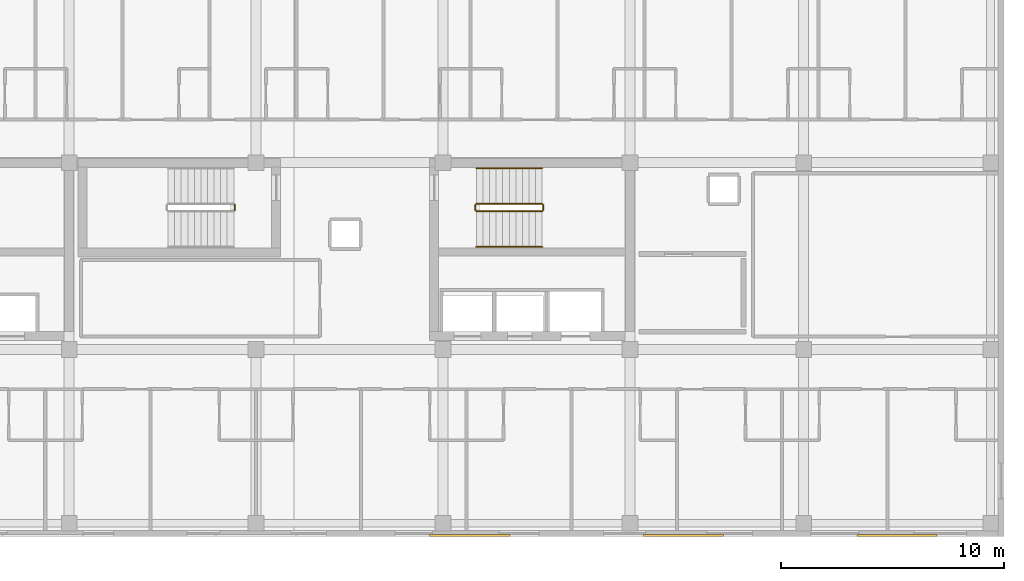
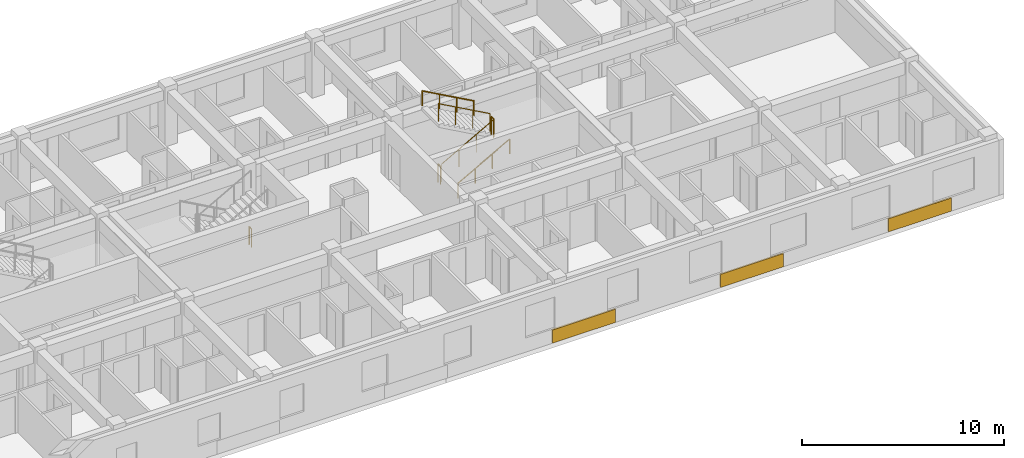
# One storey, part 11 of 11: 7 railings, 3 coverings.
"""IFC4 building model written with IfcOpenShell, lengths in metres."""

from ifc_helpers import new_model, si_unit, direction, frame, origin, origin_2d, place, context, subcontext, project, spatial, rectangle, circle, extrude, material, layer, layer_set, type_object, element, save


model = new_model("IFC4")

# Units and contexts
model_context = context("Model", 3, precision=1e-05, world=origin(), true_north=direction((0.0, 1.0)))
body_context = subcontext(model_context, "Body", "Model", "MODEL_VIEW")
ifc_project = project(units=[si_unit("LENGTHUNIT", "METRE"), si_unit("AREAUNIT", "SQUARE_METRE"), si_unit("VOLUMEUNIT", "CUBIC_METRE"), si_unit("PLANEANGLEUNIT", "RADIAN"), si_unit("MASSUNIT", "GRAM", prefix="KILO")], contexts=[model_context])

# Site, building, storey
site_placement = place(None, origin())
site = spatial("IfcSite", under=ifc_project, at=site_placement, CompositionType="ELEMENT")
building_placement = place(site_placement, origin())
building = spatial("IfcBuilding", under=site, at=building_placement, Name="Zayran Congress Hotel", CompositionType="ELEMENT")
storey_placement = place(building_placement, frame((0.0, 0.0, 26.39990234375)))
storey = spatial("IfcBuildingStorey", under=building, at=storey_placement, Name="L06", CompositionType="ELEMENT", Elevation=26.39990234375)

# Coverings
ifc_material_1 = material(Name="Ochre geometric bas-relief Hajar Ma'ani stone", Category="masonry")
ifc_layer = layer(ifc_material_1, 0.090087890625)
ifc_layer_set = layer_set([ifc_layer], Name="Ochre geometric bas-relief Hajar Ma'ani stone")
covering_type = type_object("IfcCoveringType", Name="TP-CLD-01", PredefinedType="CLADDING", material=ifc_layer_set)
for number, where, z_axis, x_axis, name in (
    (1, (51.60009765625, 8.844970703125, 0.0), (0.0, 0.0, 1.0), (1.0, 0.0, 0.0), "CLD-V5S-L06-4"),
    (2, (61.199951171875, 8.844970703125, 0.0), (0.0, 0.0, 1.0), (1.0, 0.0, 0.0), "CLD-V5S-L06-5"),
    (3, (70.800048828125, 8.844970703125, 0.0), (0.0, 0.0, 1.0), (1.0, 0.0, 0.0), "CLD-V5S-L06-6"),
):
    element("IfcCovering", number, at=place(storey_placement, frame(where, z_axis=z_axis, x_axis=x_axis)), inside=storey, type_object=covering_type, Name=name, PredefinedType="CLADDING", context=body_context, shape_type="SweptSolid", body=[
        extrude(rectangle(XDim=3.60009765625, YDim=0.090087890625, at=origin_2d()), origin(), (0.0, 0.0, 1.0), 0.800048828125),
    ])

# Railings
ifc_material_2 = material(Name="Painted steel balustrade", Category="steel")
railing_type_1 = type_object("IfcRailingType", Name="TP-GRD-INT", PredefinedType="GUARDRAIL", material=ifc_material_2)
railing_1_placement = place(storey_placement, frame((51.89990234375, 23.409912109375, 0.163818359375)))
element("IfcRailing", 4, at=railing_1_placement, inside=storey, type_object=railing_type_1, Name="L06 ST-02 stair guard 1", PredefinedType="GUARDRAIL", context=body_context, shape_type="SweptSolid", body=[
    extrude(circle(Radius=0.02392578125, at=origin_2d()), frame((0.0, 0.0, 1.076171875), z_axis=(0.874505241218, 0.0, 0.485016064767), x_axis=(0.0, 1.0, 0.0)), (0.0, 0.0, 1.0), 3.37353515625),
    extrude(circle(Radius=0.02099609375, at=origin_2d()), origin(), (0.0, 0.0, 1.0), 1.052001953125),
    extrude(circle(Radius=0.02099609375, at=origin_2d()), frame((0.9833984375, 0.0, 0.54541015625)), (0.0, 0.0, 1.0), 1.052001953125),
    extrude(circle(Radius=0.02099609375, at=origin_2d()), frame((1.966796875, 0.0, 1.0908203125)), (0.0, 0.0, 1.0), 1.052001953125),
    extrude(circle(Radius=0.02099609375, at=origin_2d()), frame((2.9501953125, 0.0, 1.63623046875)), (0.0, 0.0, 1.0), 1.052001953125),
])
railing_2_placement = place(storey_placement, frame((54.89990234375, 23.4599609375, 1.800048828125)))
element("IfcRailing", 5, at=railing_2_placement, inside=storey, type_object=railing_type_1, Name="L06 ST-02 stair guard 2", PredefinedType="GUARDRAIL", context=body_context, shape_type="SweptSolid", body=[
    extrude(circle(Radius=0.02392578125, at=origin_2d()), frame((0.0, 0.0, 1.076171875), z_axis=(0.0, 1.0, 0.0), x_axis=(-1.0, 0.0, 0.0)), (0.0, 0.0, 1.0), 0.239990234375),
    extrude(circle(Radius=0.02099609375, at=origin_2d()), origin(), (0.0, 0.0, 1.0), 1.052001953125),
    extrude(circle(Radius=0.02099609375, at=origin_2d()), frame((0.0, 0.239990234375, 0.0)), (0.0, 0.0, 1.0), 1.052001953125),
])
railing_3_placement = place(storey_placement, frame((54.85009765625, 23.75, 1.963623046875)))
element("IfcRailing", 6, at=railing_3_placement, inside=storey, type_object=railing_type_1, Name="L06 ST-02 stair guard 3", PredefinedType="GUARDRAIL", context=body_context, shape_type="SweptSolid", body=[
    extrude(circle(Radius=0.02392578125, at=origin_2d()), frame((0.0, 0.0, 1.076171875), z_axis=(-0.87447454536, 0.0, 0.485071406616), x_axis=(0.0, -1.0, 0.0)), (0.0, 0.0, 1.0), 3.373779296875),
    extrude(circle(Radius=0.02099609375, at=origin_2d()), origin(), (0.0, 0.0, 1.0), 1.052001953125),
    extrude(circle(Radius=0.02099609375, at=origin_2d()), frame((-0.9833984375, 0.0, 0.54541015625)), (0.0, 0.0, 1.0), 1.052001953125),
    extrude(circle(Radius=0.02099609375, at=origin_2d()), frame((-1.966796875, 0.0, 1.091064453125)), (0.0, 0.0, 1.0), 1.052001953125),
    extrude(circle(Radius=0.02099609375, at=origin_2d()), frame((-2.9501953125, 0.0, 1.636474609375)), (0.0, 0.0, 1.0), 1.052001953125),
])
railing_4_placement = place(storey_placement, frame((51.85009765625, 23.4599609375, 0.0)))
element("IfcRailing", 7, at=railing_4_placement, inside=storey, type_object=railing_type_1, Name="L06 ST-02 stair guard 4", PredefinedType="GUARDRAIL", context=body_context, shape_type="SweptSolid", body=[
    extrude(circle(Radius=0.02392578125, at=origin_2d()), frame((0.0, 0.0, 1.076171875), z_axis=(0.0, 1.0, 0.0), x_axis=(-1.0, 0.0, 0.0)), (0.0, 0.0, 1.0), 0.239990234375),
    extrude(circle(Radius=0.02099609375, at=origin_2d()), origin(), (0.0, 0.0, 1.0), 1.052001953125),
    extrude(circle(Radius=0.02099609375, at=origin_2d()), frame((0.0, 0.239990234375, 0.0)), (0.0, 0.0, 1.0), 1.052001953125),
])
railing_5_placement = place(storey_placement, frame((41.050048828125, 23.699951171875, 0.0)))
element("IfcRailing", 8, at=railing_5_placement, inside=storey, type_object=railing_type_1, Name="L06 ST-13 stair guard 4", PredefinedType="GUARDRAIL", context=body_context, shape_type="SweptSolid", body=[
    extrude(circle(Radius=0.02392578125, at=origin_2d()), frame((0.0, 0.0, 1.076171875), z_axis=(0.0, -1.0, 0.0), x_axis=(1.0, 0.0, 0.0)), (0.0, 0.0, 1.0), 0.239990234375),
    extrude(circle(Radius=0.02099609375, at=origin_2d()), origin(), (0.0, 0.0, 1.0), 1.052001953125),
    extrude(circle(Radius=0.02099609375, at=origin_2d()), frame((0.0, -0.239990234375, 0.0)), (0.0, 0.0, 1.0), 1.052001953125),
])
ifc_material_3 = material(Name="Brushed stainless steel handrail", Category="steel")
railing_type_2 = type_object("IfcRailingType", Name="TP-HND-STR", PredefinedType="HANDRAIL", material=ifc_material_3)
railing_6_placement = place(storey_placement, frame((51.89990234375, 21.81005859375, 0.163818359375)))
element("IfcRailing", 9, at=railing_6_placement, inside=storey, type_object=railing_type_2, Name="L06 ST-02 stair handrail 1", PredefinedType="HANDRAIL", context=body_context, shape_type="SweptSolid", body=[
    extrude(circle(Radius=0.02392578125, at=origin_2d()), frame((0.0, 0.0, 0.8759765625), z_axis=(0.874505241218, 0.0, 0.485016064767), x_axis=(0.0, 1.0, 0.0)), (0.0, 0.0, 1.0), 3.37353515625),
    extrude(circle(Radius=0.02099609375, at=origin_2d()), origin(), (0.0, 0.0, 1.0), 0.851806640625),
    extrude(circle(Radius=0.02099609375, at=origin_2d()), frame((0.9833984375, 0.0, 0.54541015625)), (0.0, 0.0, 1.0), 0.851806640625),
    extrude(circle(Radius=0.02099609375, at=origin_2d()), frame((1.966796875, 0.0, 1.0908203125)), (0.0, 0.0, 1.0), 0.851806640625),
    extrude(circle(Radius=0.02099609375, at=origin_2d()), frame((2.9501953125, 0.0, 1.63623046875)), (0.0, 0.0, 1.0), 0.851806640625),
])
railing_7_placement = place(storey_placement, frame((54.85009765625, 25.35009765625, 1.963623046875)))
element("IfcRailing", 10, at=railing_7_placement, inside=storey, type_object=railing_type_2, Name="L06 ST-02 stair handrail 2", PredefinedType="HANDRAIL", context=body_context, shape_type="SweptSolid", body=[
    extrude(circle(Radius=0.02392578125, at=origin_2d()), frame((0.0, 0.0, 0.8759765625), z_axis=(-0.87447454536, 0.0, 0.485071406616), x_axis=(0.0, -1.0, 0.0)), (0.0, 0.0, 1.0), 3.373779296875),
    extrude(circle(Radius=0.02099609375, at=origin_2d()), origin(), (0.0, 0.0, 1.0), 0.851806640625),
    extrude(circle(Radius=0.02099609375, at=origin_2d()), frame((-0.9833984375, 0.0, 0.54541015625)), (0.0, 0.0, 1.0), 0.851806640625),
    extrude(circle(Radius=0.02099609375, at=origin_2d()), frame((-1.966796875, 0.0, 1.091064453125)), (0.0, 0.0, 1.0), 0.851806640625),
    extrude(circle(Radius=0.02099609375, at=origin_2d()), frame((-2.9501953125, 0.0, 1.636474609375)), (0.0, 0.0, 1.0), 0.851806640625),
])

save(model, "model.ifc")
